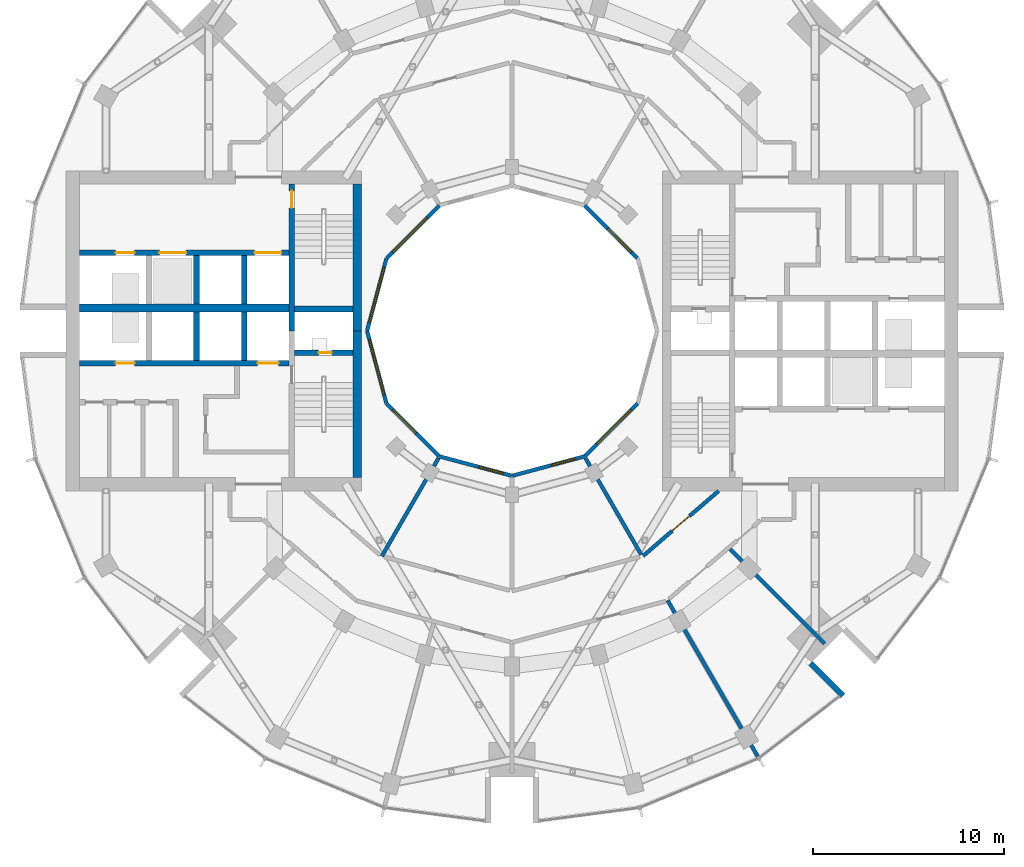
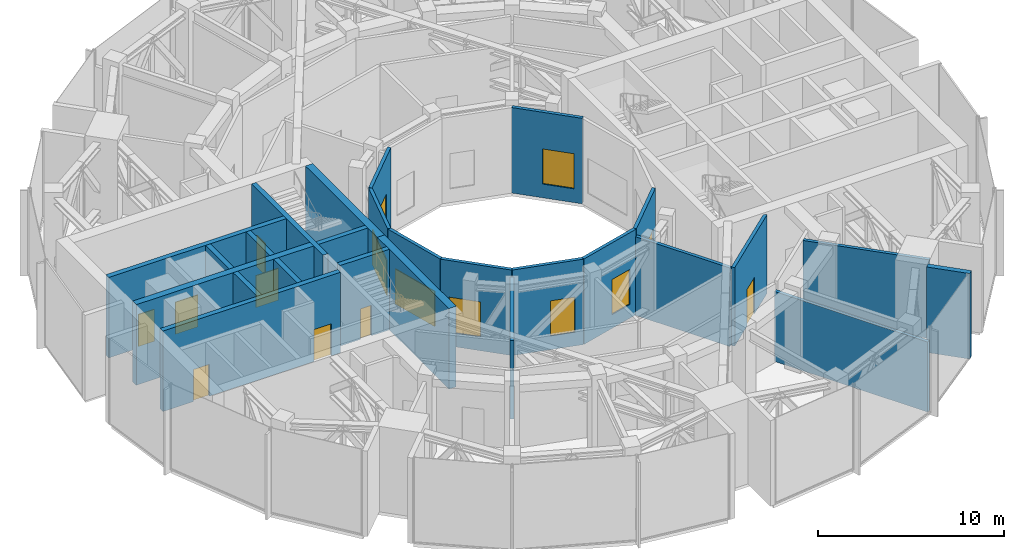
# One storey, part 13 of 18: 26 walls, 8 doors, 8 windows, 16 openings.
"""IFC4 building model written with IfcOpenShell, lengths in metres."""

from ifc_helpers import new_model, si_unit, direction, frame, frame_2d, origin, place, context, subcontext, project, spatial, rectangle, extrude, material, layer, layer_set, type_object, element, fill, save


model = new_model("IFC4")

# Units and contexts
model_context = context("Model", 3, precision=1e-05, world=origin(), true_north=direction((0.0, 1.0)))
body_context = subcontext(model_context, "Body", "Model", "MODEL_VIEW")
ifc_project = project(units=[si_unit("LENGTHUNIT", "METRE"), si_unit("AREAUNIT", "SQUARE_METRE"), si_unit("VOLUMEUNIT", "CUBIC_METRE"), si_unit("PLANEANGLEUNIT", "RADIAN"), si_unit("MASSUNIT", "GRAM", prefix="KILO")], contexts=[model_context])

# Site, building, storey
site_placement = place(None, origin())
site = spatial("IfcSite", under=ifc_project, at=site_placement, CompositionType="ELEMENT")
building_placement = place(site_placement, origin())
building = spatial("IfcBuilding", under=site, at=building_placement, Name="Torre Brocal", CompositionType="ELEMENT")
storey_placement = place(building_placement, frame((0.0, 0.0, 109.0)))
storey = spatial("IfcBuildingStorey", under=building, at=storey_placement, Name="L25", CompositionType="ELEMENT", Elevation=109.0)

# Wall, opening, door
ifc_material_1 = material(Name="Concrete C70", Category="concrete")
ifc_layer_1 = layer(ifc_material_1, 0.300048828125)
ifc_layer_set_1 = layer_set([ifc_layer_1], Name="Concrete C70")
wall_type_1 = type_object("IfcWallType", Name="CORE WALL 300 C70", PredefinedType="SHEAR", material=ifc_layer_set_1)
wall_1_placement = place(storey_placement, frame((68.449951171875, 82.699951171875, 0.0), z_axis=(0.0, 0.0, 1.0), x_axis=(0.0, -1.0, 0.0)))
wall_1 = element("IfcWall", 1, at=wall_1_placement, inside=storey, type_object=wall_type_1, Name="Wall CW300-70", PredefinedType="SHEAR", context=body_context, shape_type="SweptSolid", body=[
    extrude(rectangle(XDim=7.699951171875, YDim=0.300048828125, at=frame_2d((3.85009765625, 0.0))), origin(), (0.0, 0.0, 1.0), 5.280029296875),
])
opening_1_placement = place(wall_1_placement, frame((0.35009765625, 0.0, 0.0)))
opening_1 = element("IfcOpeningElement", 2, at=opening_1_placement, cuts=wall_1, Name="Opening W-D03", PredefinedType="OPENING", context=body_context, shape_type="SweptSolid", body=[
    extrude(rectangle(XDim=0.89990234375, YDim=2.10009765625, at=frame_2d((0.449951171875, 1.050048828125))), frame((0.0, 0.159912109375, 0.0), z_axis=(0.0, -1.0, 0.0), x_axis=(1.0, 0.0, 0.0)), (0.0, 0.0, 1.0), 0.320068359375),
])
ifc_material_2 = material(Name="Steel A653", Category="steel")
door_type_1 = type_object("IfcDoorType", Name="STAIR DOOR FD120 900X2100", OperationType="SINGLE_SWING_RIGHT", PredefinedType="DOOR", material=ifc_material_2)
door_1_placement = place(opening_1_placement, origin())
door_1 = element("IfcDoor", 3, at=door_1_placement, inside=storey, type_object=door_type_1, Name="Door W-D03", OperationType="SINGLE_SWING_LEFT", OverallHeight=2.10009765625, OverallWidth=0.89990234375, PredefinedType="DOOR", context=body_context, shape_type="SweptSolid", body=[
    extrude(rectangle(XDim=0.89990234375, YDim=2.10009765625, at=frame_2d((0.449951171875, 1.050048828125))), frame((0.0, 0.02490234375, 0.0), z_axis=(0.0, -1.0, 0.0), x_axis=(1.0, 0.0, 0.0)), (0.0, 0.0, 1.0), 0.050048828125),
])
fill(opening_1, door_1)

wall_2_placement = place(storey_placement, frame((71.64990234375, 73.85009765625, 0.0), z_axis=(0.0, 0.0, 1.0), x_axis=(-1.0, 0.0, 0.0)))
wall_2 = element("IfcWall", 4, at=wall_2_placement, inside=storey, type_object=wall_type_1, Name="Wall CW300-70", PredefinedType="SHEAR", context=body_context, shape_type="SweptSolid", body=[
    extrude(rectangle(XDim=3.0498046875, YDim=0.300048828125, at=frame_2d((1.52490234375, 0.0))), origin(), (0.0, 0.0, 1.0), 5.280029296875),
])
opening_2_placement = place(wall_2_placement, frame((1.10009765625, 0.0, 0.0)))
opening_2 = element("IfcOpeningElement", 5, at=opening_2_placement, cuts=wall_2, Name="Opening W-D01", PredefinedType="OPENING", context=body_context, shape_type="SweptSolid", body=[
    extrude(rectangle(XDim=0.699951171875, YDim=2.0, at=frame_2d((0.35009765625, 1.0))), frame((0.0, 0.159912109375, 0.0), z_axis=(0.0, -1.0, 0.0), x_axis=(1.0, 0.0, 0.0)), (0.0, 0.0, 1.0), 0.320068359375),
])
ifc_material_3 = material(Name="Steel A653", Category="steel")
door_type_2 = type_object("IfcDoorType", Name="RISER DOOR FD120 700X2000", OperationType="SINGLE_SWING_LEFT", PredefinedType="DOOR", material=ifc_material_3)
door_2_placement = place(opening_2_placement, frame((0.699951171875, 0.0, 0.0), z_axis=(0.0, 0.0, 1.0), x_axis=(-1.0, 0.0, 0.0)))
door_2 = element("IfcDoor", 6, at=door_2_placement, inside=storey, type_object=door_type_2, Name="Door W-D01", OperationType="SINGLE_SWING_RIGHT", OverallHeight=2.0, OverallWidth=0.699951171875, PredefinedType="DOOR", context=body_context, shape_type="SweptSolid", body=[
    extrude(rectangle(XDim=0.699951171875, YDim=2.0, at=frame_2d((0.35009765625, 1.0))), frame((0.0, 0.02490234375, 0.0), z_axis=(0.0, -1.0, 0.0), x_axis=(1.0, 0.0, 0.0)), (0.0, 0.0, 1.0), 0.050048828125),
])
fill(opening_2, door_2)

# Wall
wall_3_placement = place(storey_placement, frame((71.64990234375, 76.14990234375, 0.0), z_axis=(0.0, 0.0, 1.0), x_axis=(-1.0, 0.0, 0.0)))
element("IfcWall", 7, at=wall_3_placement, inside=storey, type_object=wall_type_1, Name="Wall CW300-70", PredefinedType="SHEAR", context=body_context, shape_type="SweptSolid", body=[
    extrude(rectangle(XDim=3.0498046875, YDim=0.300048828125, at=frame_2d((1.52490234375, 0.0))), origin(), (0.0, 0.0, 1.0), 5.280029296875),
])

# Wall, openings, doors
wall_4_placement = place(storey_placement, frame((68.300048828125, 73.300048828125, 0.0), z_axis=(0.0, 0.0, 1.0), x_axis=(-1.0, 0.0, 0.0)))
wall_4 = element("IfcWall", 8, at=wall_4_placement, inside=storey, type_object=wall_type_1, Name="Wall CW300-70", PredefinedType="SHEAR", context=body_context, shape_type="SweptSolid", body=[
    extrude(rectangle(XDim=11.0, YDim=0.300048828125, at=frame_2d((5.5, 0.0))), origin(), (0.0, 0.0, 1.0), 5.280029296875),
])
opening_3_placement = place(wall_4_placement, frame((0.550048828125, 0.0, 0.0)))
opening_3 = element("IfcOpeningElement", 9, at=opening_3_placement, cuts=wall_4, Name="Opening LD", PredefinedType="OPENING", context=body_context, shape_type="SweptSolid", body=[
    extrude(rectangle(XDim=1.10009765625, YDim=2.10009765625, at=frame_2d((0.550048828125, 1.050048828125))), frame((0.0, 0.159912109375, 0.0), z_axis=(0.0, -1.0, 0.0), x_axis=(1.0, 0.0, 0.0)), (0.0, 0.0, 1.0), 0.320068359375),
])
opening_4_placement = place(wall_4_placement, frame((8.10009765625, 0.0, 0.0)))
opening_4 = element("IfcOpeningElement", 10, at=opening_4_placement, cuts=wall_4, Name="Opening LD10", PredefinedType="OPENING", context=body_context, shape_type="SweptSolid", body=[
    extrude(rectangle(XDim=1.0, YDim=2.10009765625, at=frame_2d((0.5, 1.050048828125))), frame((0.0, 0.159912109375, 0.0), z_axis=(0.0, -1.0, 0.0), x_axis=(1.0, 0.0, 0.0)), (0.0, 0.0, 1.0), 0.320068359375),
])
ifc_material_4 = material(Name="Stainless steel AISI 316", Category="steel")
door_type_3 = type_object("IfcDoorType", Name="LIFT LANDING DOOR 1000X2100", OperationType="DOUBLE_DOOR_SLIDING", PredefinedType="DOOR", material=ifc_material_4)
door_3_placement = place(opening_4_placement, origin())
door_3 = element("IfcDoor", 11, at=door_3_placement, inside=storey, type_object=door_type_3, Name="Door LD10", OperationType="DOUBLE_DOOR_SLIDING", OverallHeight=2.10009765625, OverallWidth=1.0, PredefinedType="DOOR", context=body_context, shape_type="SweptSolid", body=[
    extrude(rectangle(XDim=1.0, YDim=2.10009765625, at=frame_2d((0.5, 1.050048828125))), frame((0.0, 0.02490234375, 0.0), z_axis=(0.0, -1.0, 0.0), x_axis=(1.0, 0.0, 0.0)), (0.0, 0.0, 1.0), 0.050048828125),
])
fill(opening_4, door_3)
ifc_material_5 = material(Name="Stainless steel AISI 316", Category="steel")
door_type_4 = type_object("IfcDoorType", Name="LIFT LANDING DOOR 1100X2100", OperationType="DOUBLE_DOOR_SLIDING", PredefinedType="DOOR", material=ifc_material_5)
door_4_placement = place(opening_3_placement, origin())
door_4 = element("IfcDoor", 12, at=door_4_placement, inside=storey, type_object=door_type_4, Name="Door LD", OperationType="DOUBLE_DOOR_SLIDING", OverallHeight=2.10009765625, OverallWidth=1.10009765625, PredefinedType="DOOR", context=body_context, shape_type="SweptSolid", body=[
    extrude(rectangle(XDim=1.10009765625, YDim=2.10009765625, at=frame_2d((0.550048828125, 1.050048828125))), frame((0.0, 0.02490234375, 0.0), z_axis=(0.0, -1.0, 0.0), x_axis=(1.0, 0.0, 0.0)), (0.0, 0.0, 1.0), 0.050048828125),
])
fill(opening_3, door_4)

wall_5_placement = place(storey_placement, frame((68.300048828125, 79.10009765625, 0.0), z_axis=(0.0, 0.0, 1.0), x_axis=(-1.0, 0.0, 0.0)))
wall_5 = element("IfcWall", 13, at=wall_5_placement, inside=storey, type_object=wall_type_1, Name="Wall CW300-70", PredefinedType="SHEAR", context=body_context, shape_type="SweptSolid", body=[
    extrude(rectangle(XDim=11.0, YDim=0.300048828125, at=frame_2d((5.5, 0.0))), origin(), (0.0, 0.0, 1.0), 5.280029296875),
])
opening_5_placement = place(wall_5_placement, frame((0.39990234375, 0.0, 0.0)))
opening_5 = element("IfcOpeningElement", 14, at=opening_5_placement, cuts=wall_5, Name="Opening LD14", PredefinedType="OPENING", context=body_context, shape_type="SweptSolid", body=[
    extrude(rectangle(XDim=1.39990234375, YDim=2.10009765625, at=frame_2d((0.699951171875, 1.050048828125))), frame((0.0, 0.159912109375, 0.0), z_axis=(0.0, -1.0, 0.0), x_axis=(1.0, 0.0, 0.0)), (0.0, 0.0, 1.0), 0.320068359375),
])
opening_6_placement = place(wall_5_placement, frame((5.39990234375, 0.0, 0.0)))
opening_6 = element("IfcOpeningElement", 15, at=opening_6_placement, cuts=wall_5, Name="Opening LD14", PredefinedType="OPENING", context=body_context, shape_type="SweptSolid", body=[
    extrude(rectangle(XDim=1.39990234375, YDim=2.10009765625, at=frame_2d((0.699951171875, 1.050048828125))), frame((0.0, 0.159912109375, 0.0), z_axis=(0.0, -1.0, 0.0), x_axis=(1.0, 0.0, 0.0)), (0.0, 0.0, 1.0), 0.320068359375),
])
opening_7_placement = place(wall_5_placement, frame((8.10009765625, 0.0, 0.0)))
opening_7 = element("IfcOpeningElement", 16, at=opening_7_placement, cuts=wall_5, Name="Opening LD10", PredefinedType="OPENING", context=body_context, shape_type="SweptSolid", body=[
    extrude(rectangle(XDim=1.0, YDim=2.10009765625, at=frame_2d((0.5, 1.050048828125))), frame((0.0, 0.159912109375, 0.0), z_axis=(0.0, -1.0, 0.0), x_axis=(1.0, 0.0, 0.0)), (0.0, 0.0, 1.0), 0.320068359375),
])
door_5_placement = place(opening_7_placement, origin())
door_5 = element("IfcDoor", 17, at=door_5_placement, inside=storey, type_object=door_type_3, Name="Door LD10", OperationType="DOUBLE_DOOR_SLIDING", OverallHeight=2.10009765625, OverallWidth=1.0, PredefinedType="DOOR", context=body_context, shape_type="SweptSolid", body=[
    extrude(rectangle(XDim=1.0, YDim=2.10009765625, at=frame_2d((0.5, 1.050048828125))), frame((0.0, 0.02490234375, 0.0), z_axis=(0.0, -1.0, 0.0), x_axis=(1.0, 0.0, 0.0)), (0.0, 0.0, 1.0), 0.050048828125),
])
fill(opening_7, door_5)
ifc_material_6 = material(Name="Stainless steel AISI 316", Category="steel")
door_type_5 = type_object("IfcDoorType", Name="LIFT LANDING DOOR 1400X2100", OperationType="DOUBLE_DOOR_SLIDING", PredefinedType="DOOR", material=ifc_material_6)
door_6_placement = place(opening_5_placement, origin())
door_6 = element("IfcDoor", 18, at=door_6_placement, inside=storey, type_object=door_type_5, Name="Door LD14", OperationType="DOUBLE_DOOR_SLIDING", OverallHeight=2.10009765625, OverallWidth=1.39990234375, PredefinedType="DOOR", context=body_context, shape_type="SweptSolid", body=[
    extrude(rectangle(XDim=1.39990234375, YDim=2.10009765625, at=frame_2d((0.699951171875, 1.050048828125))), frame((0.0, 0.02490234375, 0.0), z_axis=(0.0, -1.0, 0.0), x_axis=(1.0, 0.0, 0.0)), (0.0, 0.0, 1.0), 0.050048828125),
])
fill(opening_5, door_6)
door_7_placement = place(opening_6_placement, origin())
door_7 = element("IfcDoor", 19, at=door_7_placement, inside=storey, type_object=door_type_5, Name="Door LD14", OperationType="DOUBLE_DOOR_SLIDING", OverallHeight=2.10009765625, OverallWidth=1.39990234375, PredefinedType="DOOR", context=body_context, shape_type="SweptSolid", body=[
    extrude(rectangle(XDim=1.39990234375, YDim=2.10009765625, at=frame_2d((0.699951171875, 1.050048828125))), frame((0.0, 0.02490234375, 0.0), z_axis=(0.0, -1.0, 0.0), x_axis=(1.0, 0.0, 0.0)), (0.0, 0.0, 1.0), 0.050048828125),
])
fill(opening_6, door_7)

# Walls
for number, where, z_axis, x_axis, name in (
    (20, (65.949951171875, 76.0, 0.0), (0.0, 0.0, 1.0), (0.0, -1.0, 0.0), "Wall CW300-70"),
    (21, (63.449951171875, 76.0, 0.0), (0.0, 0.0, 1.0), (0.0, -1.0, 0.0), "Wall CW300-70"),
    (22, (65.949951171875, 78.949951171875, 0.0), (0.0, 0.0, 1.0), (0.0, -1.0, 0.0), "Wall CW300-70"),
    (23, (63.449951171875, 78.949951171875, 0.0), (0.0, 0.0, 1.0), (0.0, -1.0, 0.0), "Wall CW300-70"),
):
    element("IfcWall", number, at=place(storey_placement, frame(where, z_axis=z_axis, x_axis=x_axis)), inside=storey, type_object=wall_type_1, Name=name, PredefinedType="SHEAR", context=body_context, shape_type="SweptSolid", body=[
        extrude(rectangle(XDim=2.550048828125, YDim=0.300048828125, at=frame_2d((1.27490234375, 0.0))), origin(), (0.0, 0.0, 1.0), 5.280029296875),
    ])
ifc_material_7 = material(Name="Concrete C70", Category="concrete")
ifc_layer_2 = layer(ifc_material_7, 0.39990234375)
ifc_layer_set_2 = layer_set([ifc_layer_2], Name="Concrete C70")
wall_type_2 = type_object("IfcWallType", Name="CORE WALL 400 C70", PredefinedType="SHEAR", material=ifc_layer_set_2)
wall_6_placement = place(storey_placement, frame((68.300048828125, 76.199951171875, 0.0), z_axis=(0.0, 0.0, 1.0), x_axis=(-1.0, 0.0, 0.0)))
element("IfcWall", 24, at=wall_6_placement, inside=storey, type_object=wall_type_2, Name="Wall CW400-70", PredefinedType="SHEAR", context=body_context, shape_type="SweptSolid", body=[
    extrude(rectangle(XDim=11.0, YDim=0.39990234375, at=frame_2d((5.5, 0.0))), origin(), (0.0, 0.0, 1.0), 5.280029296875),
])
ifc_material_8 = material(Name="Concrete C70", Category="concrete")
ifc_layer_3 = layer(ifc_material_8, 0.449951171875)
ifc_layer_set_3 = layer_set([ifc_layer_3], Name="Concrete C70")
wall_type_3 = type_object("IfcWallType", Name="CORE WALL 450 C70", PredefinedType="SHEAR", material=ifc_layer_set_3)
for number, where, z_axis, x_axis, name in (
    (25, (71.875, 75.0, 0.0), (0.0, 0.0, 1.0), (0.0, -1.0, 0.0), "Wall CW450-70"),
    (26, (71.875, 82.699951171875, 0.0), (0.0, 0.0, 1.0), (0.0, -1.0, 0.0), "Wall CW450-70"),
):
    element("IfcWall", number, at=place(storey_placement, frame(where, z_axis=z_axis, x_axis=x_axis)), inside=storey, type_object=wall_type_3, Name=name, PredefinedType="SHEAR", context=body_context, shape_type="SweptSolid", body=[
        extrude(rectangle(XDim=7.699951171875, YDim=0.449951171875, at=frame_2d((3.85009765625, 0.0))), origin(), (0.0, 0.0, 1.0), 5.280029296875),
    ])
ifc_material_9 = material(Name="Concrete C70", Category="concrete")
ifc_layer_4 = layer(ifc_material_9, 0.300048828125)
ifc_layer_set_4 = layer_set([ifc_layer_4], Name="Concrete C70")
wall_type_4 = type_object("IfcWallType", Name="NOTCH RETURN WALL 300 C70", PredefinedType="NOTDEFINED", material=ifc_layer_set_4)
wall_7_placement = place(storey_placement, frame((95.662353515625, 57.56982421875, 0.0), z_axis=(0.0, 0.0, 1.0), x_axis=(0.707106781187, -0.707106781187, 0.0)))
element("IfcWall", 27, at=wall_7_placement, inside=storey, type_object=wall_type_4, Name="NOTCH RETURN WALL", PredefinedType="NOTDEFINED", context=body_context, shape_type="SweptSolid", body=[
    extrude(rectangle(XDim=2.415771484375, YDim=0.300048828125, at=frame_2d((1.2080078125, 0.0))), origin(), (0.0, 0.0, 1.0), 5.60009765625),
])
ifc_material_10 = material(Name="Masonry block", Category="masonry")
ifc_layer_5 = layer(ifc_material_10, 0.199951171875)
ifc_layer_set_5 = layer_set([ifc_layer_5], Name="Masonry block")
wall_type_5 = type_object("IfcWallType", Name="PARTITION 200 EI120", PredefinedType="PARTITIONING", material=ifc_layer_set_5)
wall_8_placement = place(storey_placement, frame((73.171630859375, 63.1767578125, 0.0), z_axis=(0.0, 0.0, 1.0), x_axis=(0.500080872431, 0.86597870703, 0.0)))
element("IfcWall", 28, at=wall_8_placement, inside=storey, type_object=wall_type_5, Name="PLANT ROOM WALL", PredefinedType="PARTITIONING", context=body_context, shape_type="SweptSolid", body=[
    extrude(rectangle(XDim=5.955078125, YDim=0.199951171875, at=frame_2d((2.9775390625, 0.0))), origin(), (0.0, 0.0, 1.0), 5.14990234375),
])
wall_9_placement = place(storey_placement, frame((83.84912109375, 68.3330078125, 0.0), z_axis=(0.0, 0.0, 1.0), x_axis=(0.499951054106, -0.866053660865, 0.0)))
element("IfcWall", 29, at=wall_9_placement, inside=storey, type_object=wall_type_5, Name="PLANT ROOM WALL", PredefinedType="PARTITIONING", context=body_context, shape_type="SweptSolid", body=[
    extrude(rectangle(XDim=5.85498046875, YDim=0.199951171875, at=frame_2d((2.927490234375, 0.0))), origin(), (0.0, 0.0, 1.0), 5.14990234375),
])

# Wall, opening, door
wall_10_placement = place(storey_placement, frame((86.876953125, 63.18896484375, 0.0), z_axis=(0.0, 0.0, 1.0), x_axis=(0.758075808328, 0.652166442581, 0.0)))
wall_10 = element("IfcWall", 30, at=wall_10_placement, inside=storey, type_object=wall_type_5, Name="PLANT ROOM WALL", PredefinedType="PARTITIONING", context=body_context, shape_type="SweptSolid", body=[
    extrude(rectangle(XDim=5.23046875, YDim=0.199951171875, at=frame_2d((2.615234375, 0.0))), origin(), (0.0, 0.0, 1.0), 5.14990234375),
])
opening_8_placement = place(wall_10_placement, frame((2.01513671875, 0.0, 0.0)))
opening_8 = element("IfcOpeningElement", 31, at=opening_8_placement, cuts=wall_10, Name="Opening X1-D17", PredefinedType="OPENING", context=body_context, shape_type="SweptSolid", body=[
    extrude(rectangle(XDim=1.199951171875, YDim=2.39990234375, at=frame_2d((0.60009765625, 1.199951171875))), frame((0.0, 0.10986328125, 0.0), z_axis=(0.0, -1.0, 0.0), x_axis=(1.0, 0.0, 0.0)), (0.0, 0.0, 1.0), 0.219970703125),
])
ifc_material_11 = material(Name="Steel A653", Category="steel")
door_type_6 = type_object("IfcDoorType", Name="PLANT DOOR FD90 1200X2400", OperationType="SINGLE_SWING_RIGHT", PredefinedType="DOOR", material=ifc_material_11)
door_8_placement = place(opening_8_placement, origin())
door_8 = element("IfcDoor", 32, at=door_8_placement, inside=storey, type_object=door_type_6, Name="X1-D17", OperationType="SINGLE_SWING_RIGHT", OverallHeight=2.39990234375, OverallWidth=1.199951171875, PredefinedType="DOOR", context=body_context, shape_type="SweptSolid", body=[
    extrude(rectangle(XDim=1.199951171875, YDim=2.39990234375, at=frame_2d((0.60009765625, 1.199951171875))), frame((0.0, 0.02490234375, 0.0), z_axis=(0.0, -1.0, 0.0), x_axis=(1.0, 0.0, 0.0)), (0.0, 0.0, 1.0), 0.050048828125),
])
fill(opening_8, door_8)

# Walls
wall_11_placement = place(storey_placement, frame((91.44970703125, 63.548095703125, 0.0), z_axis=(0.0, 0.0, 1.0), x_axis=(0.707037084594, -0.70717647091, 0.0)))
element("IfcWall", 33, at=wall_11_placement, inside=storey, type_object=wall_type_5, Name="PLANT ROOM WALL", PredefinedType="PARTITIONING", context=body_context, shape_type="SweptSolid", body=[
    extrude(rectangle(XDim=7.006103515625, YDim=0.199951171875, at=frame_2d((3.5029296875, 0.0))), origin(), (0.0, 0.0, 1.0), 5.14990234375),
])
ifc_material_12 = material(Name="Masonry block", Category="masonry")
ifc_layer_6 = layer(ifc_material_12, 0.199951171875)
ifc_layer_set_6 = layer_set([ifc_layer_6], Name="Masonry block")
wall_type_6 = type_object("IfcWallType", Name="PARTITION 200 EI120 UNDER BEAM 1014", PredefinedType="PARTITIONING", material=ifc_layer_set_6)
wall_12_placement = place(storey_placement, frame((88.16162109375, 60.863037109375, 0.0), z_axis=(0.0, 0.0, 1.0), x_axis=(0.499991628305, -0.866030237131, 0.0)))
element("IfcWall", 34, at=wall_12_placement, inside=storey, type_object=wall_type_6, Name="PLANT ROOM WALL", PredefinedType="PARTITIONING", context=body_context, shape_type="SweptSolid", body=[
    extrude(rectangle(XDim=9.473876953125, YDim=0.199951171875, at=frame_2d((4.73681640625, 0.0))), origin(), (0.0, 0.0, 1.0), 4.5859375),
])

# Wall, opening, window
ifc_material_13 = material(Name="Concrete C40", Category="concrete")
ifc_layer_7 = layer(ifc_material_13, 0.199951171875)
ifc_layer_set_7 = layer_set([ifc_layer_7], Name="Concrete C40")
wall_type_7 = type_object("IfcWallType", Name="WELL FACADE WALL 200", PredefinedType="NOTDEFINED", material=ifc_layer_set_7)
wall_13_placement = place(storey_placement, frame((86.5849609375, 78.8017578125, 0.0), z_axis=(0.0, 0.0, 1.0), x_axis=(-0.707106781187, 0.707106781187, 0.0)))
wall_13 = element("IfcWall", 35, at=wall_13_placement, inside=storey, type_object=wall_type_7, Name="WELL FACADE WALL", PredefinedType="NOTDEFINED", context=body_context, shape_type="SweptSolid", body=[
    extrude(rectangle(XDim=3.93603515625, YDim=0.199951171875, at=frame_2d((1.968017578125, 0.0))), origin(), (0.0, 0.0, 1.0), 5.60009765625),
])
opening_9_placement = place(wall_13_placement, frame((0.468017578125, 0.0, 0.89990234375)))
opening_9 = element("IfcOpeningElement", 36, at=opening_9_placement, cuts=wall_13, Name="Opening W10", PredefinedType="OPENING", context=body_context, shape_type="SweptSolid", body=[
    extrude(rectangle(XDim=1.75, YDim=2.300048828125, at=frame_2d((0.875, 1.14990234375))), frame((0.0, 0.10986328125, 0.0), z_axis=(0.0, -1.0, 0.0), x_axis=(1.0, 0.0, 0.0)), (0.0, 0.0, 1.0), 0.219970703125),
])
ifc_material_14 = material(Name="Aluminium and glass", Category="aluminium")
window_type_1 = type_object("IfcWindowType", Name="WELL WINDOW 1750X2300 BELT", PartitioningType="SINGLE_PANEL", PredefinedType="WINDOW", material=ifc_material_14)
window_1_placement = place(opening_9_placement, origin())
window_1 = element("IfcWindow", 37, at=window_1_placement, inside=storey, type_object=window_type_1, Name="WELL WINDOW 1750X2300 BELT", OverallHeight=2.300048828125, OverallWidth=1.75, PartitioningType="SINGLE_PANEL", PredefinedType="WINDOW", context=body_context, shape_type="SweptSolid", body=[
    extrude(rectangle(XDim=1.75, YDim=2.300048828125, at=frame_2d((0.875, 1.14990234375))), frame((0.0, 0.030029296875, 0.0), z_axis=(0.0, -1.0, 0.0), x_axis=(1.0, 0.0, 0.0)), (0.0, 0.0, 1.0), 0.06005859375),
])
fill(opening_9, window_1)

wall_14_placement = place(storey_placement, frame((76.1982421875, 81.5849609375, 0.0), z_axis=(0.0, 0.0, 1.0), x_axis=(-0.707106781187, -0.707106781187, 0.0)))
wall_14 = element("IfcWall", 38, at=wall_14_placement, inside=storey, type_object=wall_type_7, Name="WELL FACADE WALL", PredefinedType="NOTDEFINED", context=body_context, shape_type="SweptSolid", body=[
    extrude(rectangle(XDim=3.93603515625, YDim=0.199951171875, at=frame_2d((1.968017578125, 0.0))), origin(), (0.0, 0.0, 1.0), 5.60009765625),
])
opening_10_placement = place(wall_14_placement, frame((0.91796875, 0.0, 0.89990234375)))
opening_10 = element("IfcOpeningElement", 39, at=opening_10_placement, cuts=wall_14, Name="Opening W12", PredefinedType="OPENING", context=body_context, shape_type="SweptSolid", body=[
    extrude(rectangle(XDim=2.550048828125, YDim=2.300048828125, at=frame_2d((1.27490234375, 1.14990234375))), frame((0.0, 0.10986328125, 0.0), z_axis=(0.0, -1.0, 0.0), x_axis=(1.0, 0.0, 0.0)), (0.0, 0.0, 1.0), 0.219970703125),
])
ifc_material_15 = material(Name="Aluminium and glass", Category="aluminium")
window_type_2 = type_object("IfcWindowType", Name="WELL WINDOW 2550X2300 BELT", PartitioningType="SINGLE_PANEL", PredefinedType="WINDOW", material=ifc_material_15)
window_2_placement = place(opening_10_placement, origin())
window_2 = element("IfcWindow", 40, at=window_2_placement, inside=storey, type_object=window_type_2, Name="WELL WINDOW 2550X2300 BELT", OverallHeight=2.300048828125, OverallWidth=2.550048828125, PartitioningType="SINGLE_PANEL", PredefinedType="WINDOW", context=body_context, shape_type="SweptSolid", body=[
    extrude(rectangle(XDim=2.550048828125, YDim=2.300048828125, at=frame_2d((1.27490234375, 1.14990234375))), frame((0.0, 0.030029296875, 0.0), z_axis=(0.0, -1.0, 0.0), x_axis=(1.0, 0.0, 0.0)), (0.0, 0.0, 1.0), 0.06005859375),
])
fill(opening_10, window_2)

wall_15_placement = place(storey_placement, frame((73.4150390625, 78.8017578125, 0.0), z_axis=(0.0, 0.0, 1.0), x_axis=(-0.258789828301, -0.965933654434, 0.0)))
wall_15 = element("IfcWall", 41, at=wall_15_placement, inside=storey, type_object=wall_type_7, Name="WELL FACADE WALL", PredefinedType="NOTDEFINED", context=body_context, shape_type="SweptSolid", body=[
    extrude(rectangle(XDim=3.935791015625, YDim=0.199951171875, at=frame_2d((1.9677734375, 0.0))), origin(), (0.0, 0.0, 1.0), 5.60009765625),
])
opening_11_placement = place(wall_15_placement, frame((0.468017578125, 0.0, 0.89990234375)))
opening_11 = element("IfcOpeningElement", 42, at=opening_11_placement, cuts=wall_15, Name="Opening W1", PredefinedType="OPENING", context=body_context, shape_type="SweptSolid", body=[
    extrude(rectangle(XDim=3.0, YDim=2.300048828125, at=frame_2d((1.5, 1.14990234375))), frame((0.0, 0.10986328125, 0.0), z_axis=(0.0, -1.0, 0.0), x_axis=(1.0, 0.0, 0.0)), (0.0, 0.0, 1.0), 0.219970703125),
])
ifc_material_16 = material(Name="Aluminium and glass", Category="aluminium")
window_type_3 = type_object("IfcWindowType", Name="WELL WINDOW 3000X2300", PartitioningType="SINGLE_PANEL", PredefinedType="WINDOW", material=ifc_material_16)
window_3_placement = place(opening_11_placement, origin())
window_3 = element("IfcWindow", 43, at=window_3_placement, inside=storey, type_object=window_type_3, Name="WELL WINDOW 3000X2300", OverallHeight=2.300048828125, OverallWidth=3.0, PartitioningType="SINGLE_PANEL", PredefinedType="WINDOW", context=body_context, shape_type="SweptSolid", body=[
    extrude(rectangle(XDim=3.0, YDim=2.300048828125, at=frame_2d((1.5, 1.14990234375))), frame((0.0, 0.030029296875, 0.0), z_axis=(0.0, -1.0, 0.0), x_axis=(1.0, 0.0, 0.0)), (0.0, 0.0, 1.0), 0.06005859375),
])
fill(opening_11, window_3)

wall_16_placement = place(storey_placement, frame((72.396484375, 75.0, 0.0), z_axis=(0.0, 0.0, 1.0), x_axis=(0.258789828301, -0.965933654434, 0.0)))
wall_16 = element("IfcWall", 44, at=wall_16_placement, inside=storey, type_object=wall_type_7, Name="WELL FACADE WALL", PredefinedType="NOTDEFINED", context=body_context, shape_type="SweptSolid", body=[
    extrude(rectangle(XDim=3.935791015625, YDim=0.199951171875, at=frame_2d((1.9677734375, 0.0))), origin(), (0.0, 0.0, 1.0), 5.60009765625),
])
opening_12_placement = place(wall_16_placement, frame((0.468017578125, 0.0, 0.89990234375)))
opening_12 = element("IfcOpeningElement", 45, at=opening_12_placement, cuts=wall_16, Name="Opening W1", PredefinedType="OPENING", context=body_context, shape_type="SweptSolid", body=[
    extrude(rectangle(XDim=3.0, YDim=2.300048828125, at=frame_2d((1.5, 1.14990234375))), frame((0.0, 0.10986328125, 0.0), z_axis=(0.0, -1.0, 0.0), x_axis=(1.0, 0.0, 0.0)), (0.0, 0.0, 1.0), 0.219970703125),
])
window_4_placement = place(opening_12_placement, origin())
window_4 = element("IfcWindow", 46, at=window_4_placement, inside=storey, type_object=window_type_3, Name="WELL WINDOW 3000X2300", OverallHeight=2.300048828125, OverallWidth=3.0, PartitioningType="SINGLE_PANEL", PredefinedType="WINDOW", context=body_context, shape_type="SweptSolid", body=[
    extrude(rectangle(XDim=3.0, YDim=2.300048828125, at=frame_2d((1.5, 1.14990234375))), frame((0.0, 0.030029296875, 0.0), z_axis=(0.0, -1.0, 0.0), x_axis=(1.0, 0.0, 0.0)), (0.0, 0.0, 1.0), 0.06005859375),
])
fill(opening_12, window_4)

wall_17_placement = place(storey_placement, frame((73.4150390625, 71.1982421875, 0.0), z_axis=(0.0, 0.0, 1.0), x_axis=(0.707106781187, -0.707106781187, 0.0)))
wall_17 = element("IfcWall", 47, at=wall_17_placement, inside=storey, type_object=wall_type_7, Name="WELL FACADE WALL", PredefinedType="NOTDEFINED", context=body_context, shape_type="SweptSolid", body=[
    extrude(rectangle(XDim=3.93603515625, YDim=0.199951171875, at=frame_2d((1.968017578125, 0.0))), origin(), (0.0, 0.0, 1.0), 5.60009765625),
])
opening_13_placement = place(wall_17_placement, frame((0.468017578125, 0.0, 0.89990234375)))
opening_13 = element("IfcOpeningElement", 48, at=opening_13_placement, cuts=wall_17, Name="Opening W10", PredefinedType="OPENING", context=body_context, shape_type="SweptSolid", body=[
    extrude(rectangle(XDim=1.75, YDim=2.300048828125, at=frame_2d((0.875, 1.14990234375))), frame((0.0, 0.10986328125, 0.0), z_axis=(0.0, -1.0, 0.0), x_axis=(1.0, 0.0, 0.0)), (0.0, 0.0, 1.0), 0.219970703125),
])
window_5_placement = place(opening_13_placement, origin())
window_5 = element("IfcWindow", 49, at=window_5_placement, inside=storey, type_object=window_type_1, Name="WELL WINDOW 1750X2300 BELT", OverallHeight=2.300048828125, OverallWidth=1.75, PartitioningType="SINGLE_PANEL", PredefinedType="WINDOW", context=body_context, shape_type="SweptSolid", body=[
    extrude(rectangle(XDim=1.75, YDim=2.300048828125, at=frame_2d((0.875, 1.14990234375))), frame((0.0, 0.030029296875, 0.0), z_axis=(0.0, -1.0, 0.0), x_axis=(1.0, 0.0, 0.0)), (0.0, 0.0, 1.0), 0.06005859375),
])
fill(opening_13, window_5)

wall_18_placement = place(storey_placement, frame((76.1982421875, 68.4150390625, 0.0), z_axis=(0.0, 0.0, 1.0), x_axis=(0.965933654434, -0.258789828301, 0.0)))
wall_18 = element("IfcWall", 50, at=wall_18_placement, inside=storey, type_object=wall_type_7, Name="WELL FACADE WALL", PredefinedType="NOTDEFINED", context=body_context, shape_type="SweptSolid", body=[
    extrude(rectangle(XDim=3.935791015625, YDim=0.199951171875, at=frame_2d((1.9677734375, 0.0))), origin(), (0.0, 0.0, 1.0), 5.60009765625),
])
opening_14_placement = place(wall_18_placement, frame((2.117919921875, 0.0, 0.89990234375)))
opening_14 = element("IfcOpeningElement", 51, at=opening_14_placement, cuts=wall_18, Name="Opening W11", PredefinedType="OPENING", context=body_context, shape_type="SweptSolid", body=[
    extrude(rectangle(XDim=1.35009765625, YDim=2.300048828125, at=frame_2d((0.675048828125, 1.14990234375))), frame((0.0, 0.10986328125, 0.0), z_axis=(0.0, -1.0, 0.0), x_axis=(1.0, 0.0, 0.0)), (0.0, 0.0, 1.0), 0.219970703125),
])
ifc_material_17 = material(Name="Aluminium and glass", Category="aluminium")
window_type_4 = type_object("IfcWindowType", Name="WELL WINDOW 1350X2300 BELT", PartitioningType="SINGLE_PANEL", PredefinedType="WINDOW", material=ifc_material_17)
window_6_placement = place(opening_14_placement, origin())
window_6 = element("IfcWindow", 52, at=window_6_placement, inside=storey, type_object=window_type_4, Name="WELL WINDOW 1350X2300 BELT", OverallHeight=2.300048828125, OverallWidth=1.35009765625, PartitioningType="SINGLE_PANEL", PredefinedType="WINDOW", context=body_context, shape_type="SweptSolid", body=[
    extrude(rectangle(XDim=1.35009765625, YDim=2.300048828125, at=frame_2d((0.675048828125, 1.14990234375))), frame((0.0, 0.030029296875, 0.0), z_axis=(0.0, -1.0, 0.0), x_axis=(1.0, 0.0, 0.0)), (0.0, 0.0, 1.0), 0.06005859375),
])
fill(opening_14, window_6)

wall_19_placement = place(storey_placement, frame((80.0, 67.396484375, 0.0), z_axis=(0.0, 0.0, 1.0), x_axis=(0.965933654434, 0.258789828301, 0.0)))
wall_19 = element("IfcWall", 53, at=wall_19_placement, inside=storey, type_object=wall_type_7, Name="WELL FACADE WALL", PredefinedType="NOTDEFINED", context=body_context, shape_type="SweptSolid", body=[
    extrude(rectangle(XDim=3.935791015625, YDim=0.199951171875, at=frame_2d((1.9677734375, 0.0))), origin(), (0.0, 0.0, 1.0), 5.60009765625),
])
opening_15_placement = place(wall_19_placement, frame((2.117919921875, 0.0, 0.89990234375)))
opening_15 = element("IfcOpeningElement", 54, at=opening_15_placement, cuts=wall_19, Name="Opening W11", PredefinedType="OPENING", context=body_context, shape_type="SweptSolid", body=[
    extrude(rectangle(XDim=1.35009765625, YDim=2.300048828125, at=frame_2d((0.675048828125, 1.14990234375))), frame((0.0, 0.10986328125, 0.0), z_axis=(0.0, -1.0, 0.0), x_axis=(1.0, 0.0, 0.0)), (0.0, 0.0, 1.0), 0.219970703125),
])
window_7_placement = place(opening_15_placement, origin())
window_7 = element("IfcWindow", 55, at=window_7_placement, inside=storey, type_object=window_type_4, Name="WELL WINDOW 1350X2300 BELT", OverallHeight=2.300048828125, OverallWidth=1.35009765625, PartitioningType="SINGLE_PANEL", PredefinedType="WINDOW", context=body_context, shape_type="SweptSolid", body=[
    extrude(rectangle(XDim=1.35009765625, YDim=2.300048828125, at=frame_2d((0.675048828125, 1.14990234375))), frame((0.0, 0.030029296875, 0.0), z_axis=(0.0, -1.0, 0.0), x_axis=(1.0, 0.0, 0.0)), (0.0, 0.0, 1.0), 0.06005859375),
])
fill(opening_15, window_7)

wall_20_placement = place(storey_placement, frame((83.8017578125, 68.4150390625, 0.0), z_axis=(0.0, 0.0, 1.0), x_axis=(0.707106781187, 0.707106781187, 0.0)))
wall_20 = element("IfcWall", 56, at=wall_20_placement, inside=storey, type_object=wall_type_7, Name="WELL FACADE WALL", PredefinedType="NOTDEFINED", context=body_context, shape_type="SweptSolid", body=[
    extrude(rectangle(XDim=3.93603515625, YDim=0.199951171875, at=frame_2d((1.968017578125, 0.0))), origin(), (0.0, 0.0, 1.0), 5.60009765625),
])
opening_16_placement = place(wall_20_placement, frame((0.91796875, 0.0, 0.89990234375)))
opening_16 = element("IfcOpeningElement", 57, at=opening_16_placement, cuts=wall_20, Name="Opening W12", PredefinedType="OPENING", context=body_context, shape_type="SweptSolid", body=[
    extrude(rectangle(XDim=2.550048828125, YDim=2.300048828125, at=frame_2d((1.27490234375, 1.14990234375))), frame((0.0, 0.10986328125, 0.0), z_axis=(0.0, -1.0, 0.0), x_axis=(1.0, 0.0, 0.0)), (0.0, 0.0, 1.0), 0.219970703125),
])
window_8_placement = place(opening_16_placement, origin())
window_8 = element("IfcWindow", 58, at=window_8_placement, inside=storey, type_object=window_type_2, Name="WELL WINDOW 2550X2300 BELT", OverallHeight=2.300048828125, OverallWidth=2.550048828125, PartitioningType="SINGLE_PANEL", PredefinedType="WINDOW", context=body_context, shape_type="SweptSolid", body=[
    extrude(rectangle(XDim=2.550048828125, YDim=2.300048828125, at=frame_2d((1.27490234375, 1.14990234375))), frame((0.0, 0.030029296875, 0.0), z_axis=(0.0, -1.0, 0.0), x_axis=(1.0, 0.0, 0.0)), (0.0, 0.0, 1.0), 0.06005859375),
])
fill(opening_16, window_8)

save(model, "model.ifc")
